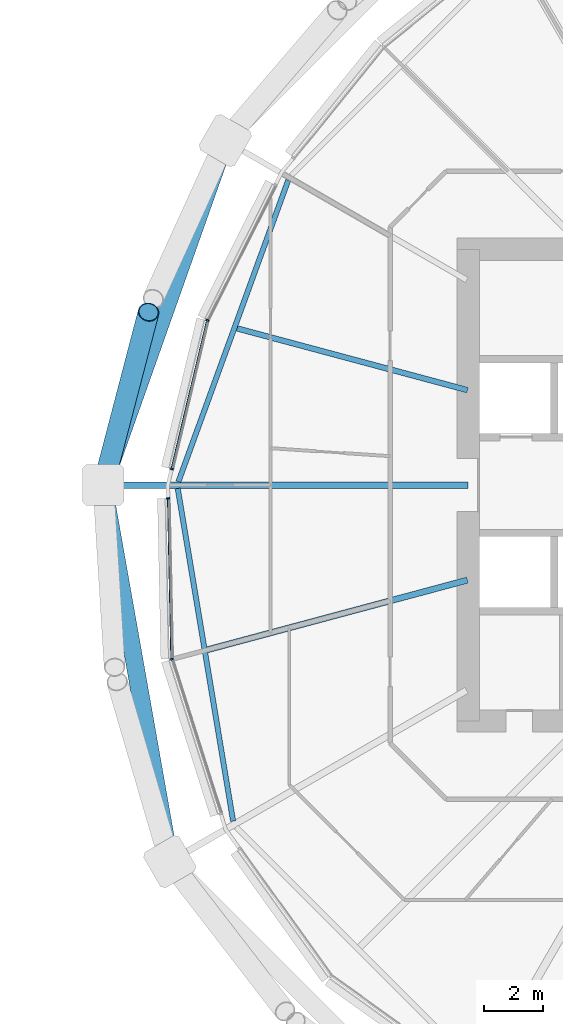
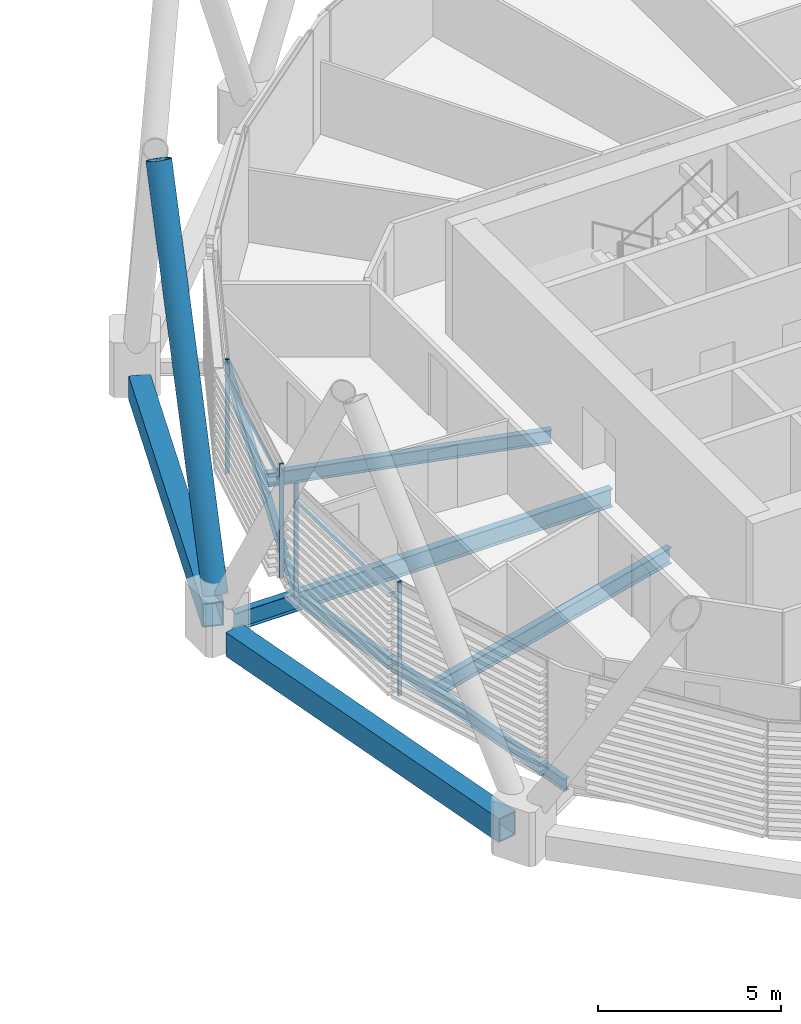
# One storey, part 15 of 38: 7 beams, 7 members, 1 element without a shape of its own.
"""IFC4 building model written with IfcOpenShell, lengths in metres."""

import ifcopenshell
import ifcopenshell.guid

model = None  # the IFC model being written
_history = None  # IfcOwnerHistory: only IFC2X3 demands one
_inside = {}  # id of a spatial element -> (the spatial element, [elements in it])
_under = {}  # id of a project, library or spatial element -> (it, [spatial elements below it])
_declared = {}  # id of a project -> (the project, [libraries it declares])
_typed = {}  # id of a type object -> (the type object, [elements of that type])
_made_of = {}  # id of a material, layer set ... -> (it, [elements and type objects made of it])


def new_model(schema):
    """Start an empty IFC model of exactly this schema.

    Asked for "IFC4X3", IfcOpenShell would pick the latest addendum, in which some entities
    have other attributes; the version numbers below select the first issue.
    IFC2X3 requires an IfcOwnerHistory on every rooted entity: one is made here for all.
    """
    global model, _history
    if schema == "IFC4X3":
        model = ifcopenshell.file(schema_version=(4, 3, 0, 0))
    else:
        model = ifcopenshell.file(schema=schema)
    _inside.clear()
    _under.clear()
    _declared.clear()
    _typed.clear()
    _made_of.clear()
    _history = None
    if model.schema == "IFC2X3":
        org = make("IfcOrganization", Name="unknown")
        user = make(
            "IfcPersonAndOrganization",
            ThePerson=make("IfcPerson", FamilyName="unknown"),
            TheOrganization=org,
        )
        app = make(
            "IfcApplication",
            ApplicationDeveloper=org,
            Version="unknown",
            ApplicationFullName="unknown",
            ApplicationIdentifier="unknown",
        )
        _history = make(
            "IfcOwnerHistory",
            OwningUser=user,
            OwningApplication=app,
            ChangeAction="ADDED",
            CreationDate=0,
        )
    return model


def make(cls, **values):
    """One entity of the class cls with the attributes given. An attribute that is None is left unset."""
    return model.create_entity(
        cls, **{name: value for name, value in values.items() if value is not None}
    )


def rooted(cls, **values):
    """An entity with a GlobalId (a new one), such as an element, a storey or a relation."""
    return make(cls, GlobalId=ifcopenshell.guid.new(), OwnerHistory=_history, **values)


def si_unit(unit_type, name, prefix=None):
    """IfcSIUnit, for example si_unit("LENGTHUNIT", "METRE", prefix="MILLI")."""
    return make("IfcSIUnit", UnitType=unit_type, Prefix=prefix, Name=name)


def assignment(units):
    """IfcUnitAssignment: the units of a project."""
    return None if units is None else make("IfcUnitAssignment", Units=units)


def point(xyz):
    """IfcCartesianPoint."""
    return None if xyz is None else make("IfcCartesianPoint", Coordinates=xyz)


def direction(xyz):
    """IfcDirection."""
    return None if xyz is None else make("IfcDirection", DirectionRatios=xyz)


def frame(location, z_axis=None, x_axis=None):
    """IfcAxis2Placement3D, a coordinate frame: its origin and axes. An axis left out is left unset."""
    return make(
        "IfcAxis2Placement3D",
        Location=point(location),
        Axis=direction(z_axis),
        RefDirection=direction(x_axis),
    )


def frame_2d(location, x_axis=None):
    """IfcAxis2Placement2D, a coordinate frame in the plane: its origin and x axis."""
    return make(
        "IfcAxis2Placement2D", Location=point(location), RefDirection=direction(x_axis)
    )


def origin():
    """The frame at (0, 0, 0) with its axes left unset."""
    return frame((0.0, 0.0, 0.0))


def origin_2d():
    """The frame at (0, 0) in the plane with its x axis left unset."""
    return frame_2d((0.0, 0.0))


def place(relative_to, where):
    """IfcLocalPlacement: puts the frame where relative to a parent placement (None: the world)."""
    return make(
        "IfcLocalPlacement", PlacementRelTo=relative_to, RelativePlacement=where
    )


def context(
    kind, dimensions, precision=None, world=None, true_north=None, identifier=None
):
    """IfcGeometricRepresentationContext, for example the 3D "Model" context."""
    return make(
        "IfcGeometricRepresentationContext",
        ContextIdentifier=identifier,
        ContextType=kind,
        CoordinateSpaceDimension=dimensions,
        Precision=precision,
        WorldCoordinateSystem=world,
        TrueNorth=true_north,
    )


def subcontext(parent, identifier, kind, view, scale=None):
    """IfcGeometricRepresentationSubContext, for example "Body" below "Model"."""
    return make(
        "IfcGeometricRepresentationSubContext",
        ContextIdentifier=identifier,
        ContextType=kind,
        ParentContext=parent,
        TargetScale=scale,
        TargetView=view,
    )


def project(units=None, contexts=None):
    """IfcProject with its units and contexts."""
    return rooted(
        "IfcProject",
        Name="project",
        RepresentationContexts=contexts,
        UnitsInContext=assignment(units),
    )


def spatial(cls, under=None, at=None, **own):
    """A site, building, storey or space (cls), placed at a placement, below another one or the project."""
    s = rooted(cls, ObjectPlacement=at, **own)
    if under is not None:
        _under.setdefault(under.id(), (under, []))[1].append(s)
    return s


def profile(cls, at=None, kind="AREA", **sizes):
    """A parametric profile (cls). Its sizes go by their IFC names, for example OverallWidth=200.0."""
    return make(cls, ProfileType=kind, Position=at, **sizes)


def rectangle(**sizes):
    """IfcRectangleProfileDef."""
    return profile("IfcRectangleProfileDef", **sizes)


def hollow_rectangle(**sizes):
    """IfcRectangleHollowProfileDef."""
    return profile("IfcRectangleHollowProfileDef", **sizes)


def hollow_circle(**sizes):
    """IfcCircleHollowProfileDef."""
    return profile("IfcCircleHollowProfileDef", **sizes)


def i_section(**sizes):
    """IfcIShapeProfileDef."""
    return profile("IfcIShapeProfileDef", **sizes)


def extrude(swept, where, along, depth):
    """IfcExtrudedAreaSolid: the profile swept, set in the frame where, extruded along a direction by depth."""
    return make(
        "IfcExtrudedAreaSolid",
        SweptArea=swept,
        Position=where,
        ExtrudedDirection=direction(along),
        Depth=depth,
    )


def shape(context_of_items, identifier, shape_type, items):
    """IfcShapeRepresentation: the items that make up one representation, for example the "Body"."""
    return make(
        "IfcShapeRepresentation",
        ContextOfItems=context_of_items,
        RepresentationIdentifier=identifier,
        RepresentationType=shape_type,
        Items=items,
    )


def material(Name=None, Category=None):
    """IfcMaterial."""
    return make("IfcMaterial", Name=Name, Category=Category)


def material_profile(
    of_material, cross_section, Name=None, Category=None, Priority=None
):
    """IfcMaterialProfile: a cross section and its material."""
    return make(
        "IfcMaterialProfile",
        Name=Name,
        Material=of_material,
        Profile=cross_section,
        Priority=Priority,
        Category=Category,
    )


def profile_set(profiles, Name=None, composite=None):
    """IfcMaterialProfileSet."""
    return make(
        "IfcMaterialProfileSet",
        Name=Name,
        MaterialProfiles=profiles,
        CompositeProfile=composite,
    )


def made_of(thing, what):
    """Note that an element or type object is made of a material, layer set ...; save() writes the relation."""
    if what is not None:
        _made_of.setdefault(what.id(), (what, []))[1].append(thing)
    return thing


def type_object(cls, material=None, **own):
    """A type object (cls), such as IfcWallType, which elements share."""
    return made_of(rooted(cls, **own), material)


def element(
    cls,
    number,
    at=None,
    inside=None,
    cuts=None,
    type_object=None,
    material=None,
    context=None,
    identifier="Body",
    shape_type=None,
    held_by="IfcProductDefinitionShape",
    body=None,
    shapes=None,
    **own,
):
    """One element of the class cls, such as IfcWall. Its Tag is "e" and its number.

    at: its placement. inside: the storey or other place that contains it. cuts: it is an
    opening in that element (IfcRelVoidsElement). A single representation is given by context,
    identifier, shape_type and body (its items); several are given by shapes. held_by: the class
    of the entity that holds the representations. save() writes the other relations.
    """
    e = rooted(cls, Tag="e%d" % number, ObjectPlacement=at, **own)
    if body is not None:
        shapes = [shape(context, identifier, shape_type, body)]
    if shapes is not None:
        e.Representation = make(held_by, Representations=shapes)
    if inside is not None:
        _inside.setdefault(inside.id(), (inside, []))[1].append(e)
    if cuts is not None:
        rooted(
            "IfcRelVoidsElement", RelatingBuildingElement=cuts, RelatedOpeningElement=e
        )
    if type_object is not None:
        _typed.setdefault(type_object.id(), (type_object, []))[1].append(e)
    return made_of(e, material)


def aggregate(whole, parts):
    """IfcRelAggregates: a whole, such as a stair, and the parts it consists of."""
    return rooted("IfcRelAggregates", RelatingObject=whole, RelatedObjects=parts)


def save(model, path):
    """Write the relations noted so far, then the file.

    IfcRelAggregates (storeys below a building ...), IfcRelContainedInSpatialStructure (elements
    in a storey), IfcRelDefinesByType, IfcRelAssociatesMaterial and IfcRelDeclares: one each for
    every whole, place, type object, material and project.
    """
    for whole, parts in _under.values():
        aggregate(whole, parts)
    for where, things in _inside.values():
        rooted(
            "IfcRelContainedInSpatialStructure",
            RelatedElements=things,
            RelatingStructure=where,
        )
    for kind, things in _typed.values():
        rooted("IfcRelDefinesByType", RelatedObjects=things, RelatingType=kind)
    for what, things in _made_of.values():
        rooted("IfcRelAssociatesMaterial", RelatedObjects=things, RelatingMaterial=what)
    for by, libraries in _declared.values():
        rooted("IfcRelDeclares", RelatingContext=by, RelatedDefinitions=libraries)
    model.write(path)


model = new_model("IFC4")

# Units and contexts
model_context = context("Model", 3, precision=1e-05, world=origin(), true_north=direction((0.0, 1.0)))
body_context = subcontext(model_context, "Body", "Model", "MODEL_VIEW")
ifc_project = project(units=[si_unit("LENGTHUNIT", "METRE"), si_unit("AREAUNIT", "SQUARE_METRE"), si_unit("VOLUMEUNIT", "CUBIC_METRE"), si_unit("PLANEANGLEUNIT", "RADIAN"), si_unit("MASSUNIT", "GRAM", prefix="KILO")], contexts=[model_context])

# Site, building, storey
site_placement = place(None, origin())
site = spatial("IfcSite", under=ifc_project, at=site_placement, CompositionType="ELEMENT")
building_placement = place(site_placement, origin())
building = spatial("IfcBuilding", under=site, at=building_placement, Name="Rimbun Link Towers", CompositionType="ELEMENT")
storey_placement = place(building_placement, frame((0.0, 0.0, 93.0)))
storey = spatial("IfcBuildingStorey", under=building, at=storey_placement, Name="L22", CompositionType="ELEMENT", Elevation=93.0)

# Curtain wall, members
ifc_material_1 = material(Name="Aluminium 6063-T6 and low-iron glass", Category="aluminium")
curtain_wall_type = type_object("IfcCurtainWallType", Name="CW1-Z2 unitised vision wall (zone 2)", PredefinedType="NOTDEFINED", material=ifc_material_1)
curtain_wall_placement = place(storey_placement, origin())
curtain_wall = element("IfcCurtainWall", 1, at=curtain_wall_placement, inside=storey, type_object=curtain_wall_type, Name="CW1 L22 T2", PredefinedType="NOTDEFINED")
ifc_material_2 = material(Name="Aluminium 6063-T6", Category="aluminium")
ifc_material_profile_1 = material_profile(ifc_material_2, rectangle(XDim=0.1201171875, YDim=0.06005859375, at=origin_2d()), Name="MULLION 60X120")
ifc_profile_set_1 = profile_set([ifc_material_profile_1], Name="Aluminium 6063-T6")
member_type_1 = type_object("IfcMemberType", Name="CW1 mullion 60X120", PredefinedType="MULLION", material=ifc_profile_set_1)
member_1_placement = place(storey_placement, frame((10.8974609375, 5.593017578125, 0.0), z_axis=(0.0, 0.0, 1.0), x_axis=(-0.939346368321, 0.34296997, 0.0)))
member_1 = element("IfcMember", 2, at=member_1_placement, type_object=member_type_1, Name="CW1 mullion", PredefinedType="MULLION", context=body_context, shape_type="SweptSolid", body=[
    extrude(rectangle(XDim=0.1201171875, YDim=0.06005859375, at=origin_2d()), origin(), (0.0, 0.0, 1.0), 3.800048828125),
])
member_2_placement = place(storey_placement, frame((9.690673828125, 0.548828125, 0.0), z_axis=(0.0, 0.0, 1.0), x_axis=(-0.972572197016, 0.232601207201, 0.0)))
member_2 = element("IfcMember", 3, at=member_2_placement, type_object=member_type_1, Name="CW1 mullion", PredefinedType="MULLION", context=body_context, shape_type="SweptSolid", body=[
    extrude(rectangle(XDim=0.1201171875, YDim=0.06005859375, at=origin_2d()), origin(), (0.0, 0.0, 1.0), 3.800048828125),
])
member_3_placement = place(storey_placement, frame((9.68603515625, -5.906005859375, 0.0), z_axis=(0.0, 0.0, 1.0), x_axis=(-0.986502827503, -0.16374422533, 0.0)))
member_3 = element("IfcMember", 4, at=member_3_placement, type_object=member_type_1, Name="CW1 mullion", PredefinedType="MULLION", context=body_context, shape_type="SweptSolid", body=[
    extrude(rectangle(XDim=0.1201171875, YDim=0.06005859375, at=origin_2d()), origin(), (0.0, 0.0, 1.0), 3.800048828125),
])
member_4_placement = place(storey_placement, frame((9.570556640625, -0.451171875, 0.0), z_axis=(0.0, 0.0, 1.0), x_axis=(-0.999778219026, -0.021059742681, 0.0)))
member_4 = element("IfcMember", 5, at=member_4_placement, type_object=member_type_1, Name="CW1 mullion", PredefinedType="MULLION", context=body_context, shape_type="SweptSolid", body=[
    extrude(rectangle(XDim=0.1201171875, YDim=0.06005859375, at=origin_2d()), origin(), (0.0, 0.0, 1.0), 3.800048828125),
])
ifc_material_3 = material(Name="Aluminium 6063-T6", Category="aluminium")
ifc_material_profile_2 = material_profile(ifc_material_3, rectangle(XDim=0.06005859375, YDim=0.1201171875, at=origin_2d()), Name="TRANSOM 60X120")
ifc_profile_set_2 = profile_set([ifc_material_profile_2], Name="Aluminium 6063-T6")
member_type_2 = type_object("IfcMemberType", Name="CW1 transom 60X120", PredefinedType="USERDEFINED", material=ifc_profile_set_2)
member_5_placement = place(storey_placement, frame((9.699462890625, 0.57763671875, 3.199951171875), z_axis=(0.232626167317, 0.972566227195, 0.0), x_axis=(-0.972566227195, 0.232626167317, 0.0)))
member_5 = element("IfcMember", 6, at=member_5_placement, type_object=member_type_2, Name="CW1 transom", ObjectType="TRANSOM", PredefinedType="USERDEFINED", context=body_context, shape_type="SweptSolid", body=[
    extrude(rectangle(XDim=0.06005859375, YDim=0.1201171875, at=origin_2d()), origin(), (0.0, 0.0, 1.0), 5.119384765625),
])
member_6_placement = place(storey_placement, frame((9.6865234375, -5.867431640625, 3.199951171875), z_axis=(-0.021026988193, 0.999778908443, 0.0), x_axis=(-0.999778908443, -0.021026988193, 0.0)))
member_6 = element("IfcMember", 7, at=member_6_placement, type_object=member_type_2, Name="CW1 transom", ObjectType="TRANSOM", PredefinedType="USERDEFINED", context=body_context, shape_type="SweptSolid", body=[
    extrude(rectangle(XDim=0.06005859375, YDim=0.1201171875, at=origin_2d()), origin(), (0.0, 0.0, 1.0), 5.387451171875),
])
aggregate(curtain_wall, [member_1, member_2, member_3, member_4, member_5, member_6])

# Member
ifc_material_4 = material(Name="Steel S460NH", Category="steel")
ifc_material_profile_3 = material_profile(ifc_material_4, hollow_circle(Radius=0.355712890625, WallThickness=0.031982421875, at=origin_2d()), Name="Diagrid diagonal CHS 711x32")
ifc_profile_set_3 = profile_set([ifc_material_profile_3], Name="Steel S460NH")
member_type_3 = type_object("IfcMemberType", Name="Diagrid diagonal CHS 711x32", PredefinedType="BRACE", material=ifc_profile_set_3)
member_7_placement = place(storey_placement, frame((7.432373046875, 0.234375, 0.4375), z_axis=(0.122542461997, 0.468494566533, 0.874926388982), x_axis=(-0.96745239324, 0.253053090902, 0.0)))
element("IfcMember", 8, at=member_7_placement, inside=storey, type_object=member_type_3, Name="Diagrid diagonal T2 L22-L25 09a", PredefinedType="BRACE", context=body_context, shape_type="SweptSolid", body=[
    extrude(hollow_circle(Radius=0.355712890625, WallThickness=0.031982421875, at=origin_2d()), origin(), (0.0, 0.0, 1.0), 12.029541015625),
])

# Beams
ifc_material_5 = material(Name="Steel S355J2", Category="steel")
ifc_material_profile_4 = material_profile(ifc_material_5, hollow_rectangle(XDim=0.60009765625, YDim=0.800048828125, WallThickness=0.0400390625, at=origin_2d()), Name="Exoskeleton ring girder BOX 600x800x40")
ifc_profile_set_4 = profile_set([ifc_material_profile_4], Name="Steel S355J2")
beam_type_1 = type_object("IfcBeamType", Name="Exoskeleton ring girder BOX 600x800x40", PredefinedType="BEAM", material=ifc_profile_set_4)
beam_1_placement = place(storey_placement, frame((11.2763671875, 11.025634765625, -0.56005859375), z_axis=(-0.333882485697, -0.942614706943, 0.0), x_axis=(0.942614706943, -0.333882485697, 0.0)))
element("IfcBeam", 9, at=beam_1_placement, inside=storey, type_object=beam_type_1, Name="Exoskeleton ring girder L22 03", PredefinedType="BEAM", context=body_context, shape_type="SweptSolid", body=[
    extrude(hollow_rectangle(XDim=0.60009765625, YDim=0.800048828125, WallThickness=0.0400390625, at=origin_2d()), origin(), (0.0, 0.0, 1.0), 10.996826171875),
])
beam_2_placement = place(storey_placement, frame((7.49267578125, -0.689208984375, -0.56005859375), z_axis=(0.173858756379, -0.984770599089, 0.0), x_axis=(0.984770599089, 0.173858756379, 0.0)))
element("IfcBeam", 10, at=beam_2_placement, inside=storey, type_object=beam_type_1, Name="Exoskeleton ring girder L22 04", PredefinedType="BEAM", context=body_context, shape_type="SweptSolid", body=[
    extrude(hollow_rectangle(XDim=0.60009765625, YDim=0.800048828125, WallThickness=0.0400390625, at=origin_2d()), origin(), (0.0, 0.0, 1.0), 11.571044921875),
])
ifc_material_6 = material(Name="Steel S355J2", Category="steel")
ifc_material_profile_5 = material_profile(ifc_material_6, i_section(OverallWidth=0.177978515625, OverallDepth=0.406494140625, WebThickness=0.0078125, FlangeThickness=0.0126953125, at=origin_2d()), Name="UB 406x178x60")
ifc_profile_set_5 = profile_set([ifc_material_profile_5], Name="Steel S355J2")
beam_type_2 = type_object("IfcBeamType", Name="UB 406x178x60", PredefinedType="BEAM", material=ifc_profile_set_5)
beam_3_placement = place(storey_placement, frame((13.64453125, 10.34228515625, -0.36328125), z_axis=(-0.34218965666, -0.939630905662, 0.0), x_axis=(0.939630905662, -0.34218965666, 0.0)))
element("IfcBeam", 11, at=beam_3_placement, inside=storey, type_object=beam_type_2, Name="Edge beam T2 L22 07-09", PredefinedType="BEAM", context=body_context, shape_type="SweptSolid", body=[
    extrude(i_section(OverallWidth=0.177978515625, OverallDepth=0.406494140625, WebThickness=0.0078125, FlangeThickness=0.0126953125, at=origin_2d()), origin(), (0.0, 0.0, 1.0), 10.884521484375),
])
beam_4_placement = place(storey_placement, frame((9.897216796875, -0.11474609375, -0.36328125), z_axis=(0.164219027993, -0.986423900179, 0.0), x_axis=(0.986423900179, 0.164219027993, 0.0)))
element("IfcBeam", 12, at=beam_4_placement, inside=storey, type_object=beam_type_2, Name="Edge beam T2 L22 09-11", PredefinedType="BEAM", context=body_context, shape_type="SweptSolid", body=[
    extrude(i_section(OverallWidth=0.177978515625, OverallDepth=0.406494140625, WebThickness=0.0078125, FlangeThickness=0.0126953125, at=origin_2d()), origin(), (0.0, 0.0, 1.0), 11.43994140625),
])
ifc_material_7 = material(Name="Steel S355J2", Category="steel")
ifc_material_profile_6 = material_profile(ifc_material_7, i_section(OverallWidth=0.18994140625, OverallDepth=0.453369140625, WebThickness=0.008544921875, FlangeThickness=0.0126953125, at=origin_2d()), Name="UB 457x191x67")
ifc_profile_set_6 = profile_set([ifc_material_profile_6], Name="Steel S355J2")
beam_type_3 = type_object("IfcBeamType", Name="UB 457x191x67", PredefinedType="BEAM", material=ifc_profile_set_6)
beam_5_placement = place(storey_placement, frame((19.724609375, 3.22216796875, -0.38671875), z_axis=(-0.96592420956, 0.25882507874, 0.0), x_axis=(-0.25882507874, -0.96592420956, 0.0)))
element("IfcBeam", 13, at=beam_5_placement, inside=storey, type_object=beam_type_3, Name="Radial beam T2 L22 08", PredefinedType="BEAM", context=body_context, shape_type="SweptSolid", body=[
    extrude(i_section(OverallWidth=0.18994140625, OverallDepth=0.453369140625, WebThickness=0.008544921875, FlangeThickness=0.0126953125, at=origin_2d()), origin(), (0.0, 0.0, 1.0), 8.09033203125),
])
ifc_material_8 = material(Name="Steel S355J2", Category="steel")
ifc_material_profile_7 = material_profile(ifc_material_8, i_section(OverallWidth=0.209228515625, OverallDepth=0.533203125, WebThickness=0.010009765625, FlangeThickness=0.015625, at=origin_2d()), Name="UB 533x210x92")
ifc_profile_set_7 = profile_set([ifc_material_profile_7], Name="Steel S355J2")
beam_type_4 = type_object("IfcBeamType", Name="UB 533x210x92", PredefinedType="BEAM", material=ifc_profile_set_7)
beam_6_placement = place(storey_placement, frame((19.721923828125, -3.222900390625, -0.426513671875), z_axis=(-0.965925024177, -0.258822038606, 0.0), x_axis=(0.258822038606, -0.965925024177, 0.0)))
element("IfcBeam", 14, at=beam_6_placement, inside=storey, type_object=beam_type_4, Name="Radial beam T2 L22 10", PredefinedType="BEAM", context=body_context, shape_type="SweptSolid", body=[
    extrude(i_section(OverallWidth=0.209228515625, OverallDepth=0.533203125, WebThickness=0.010009765625, FlangeThickness=0.015625, at=origin_2d()), origin(), (0.0, 0.0, 1.0), 9.1337890625),
])
ifc_material_9 = material(Name="Steel S355J2", Category="steel")
ifc_material_profile_8 = material_profile(ifc_material_9, i_section(OverallWidth=0.2275390625, OverallDepth=0.6025390625, WebThickness=0.010498046875, FlangeThickness=0.014892578125, at=origin_2d()), Name="UB 610x229x101")
ifc_profile_set_8 = profile_set([ifc_material_profile_8], Name="Steel S355J2")
beam_type_5 = type_object("IfcBeamType", Name="UB 610x229x101", PredefinedType="BEAM", material=ifc_profile_set_8)
beam_7_placement = place(storey_placement, frame((19.7490234375, 0.0, -0.461181640625), z_axis=(-1.0, 0.0, 0.0), x_axis=(0.0, -1.0, 0.0)))
element("IfcBeam", 15, at=beam_7_placement, inside=storey, type_object=beam_type_5, Name="Radial beam T2 L22 09", PredefinedType="BEAM", context=body_context, shape_type="SweptSolid", body=[
    extrude(i_section(OverallWidth=0.2275390625, OverallDepth=0.6025390625, WebThickness=0.010498046875, FlangeThickness=0.014892578125, at=origin_2d()), origin(), (0.0, 0.0, 1.0), 11.8779296875),
])

save(model, "model.ifc")
